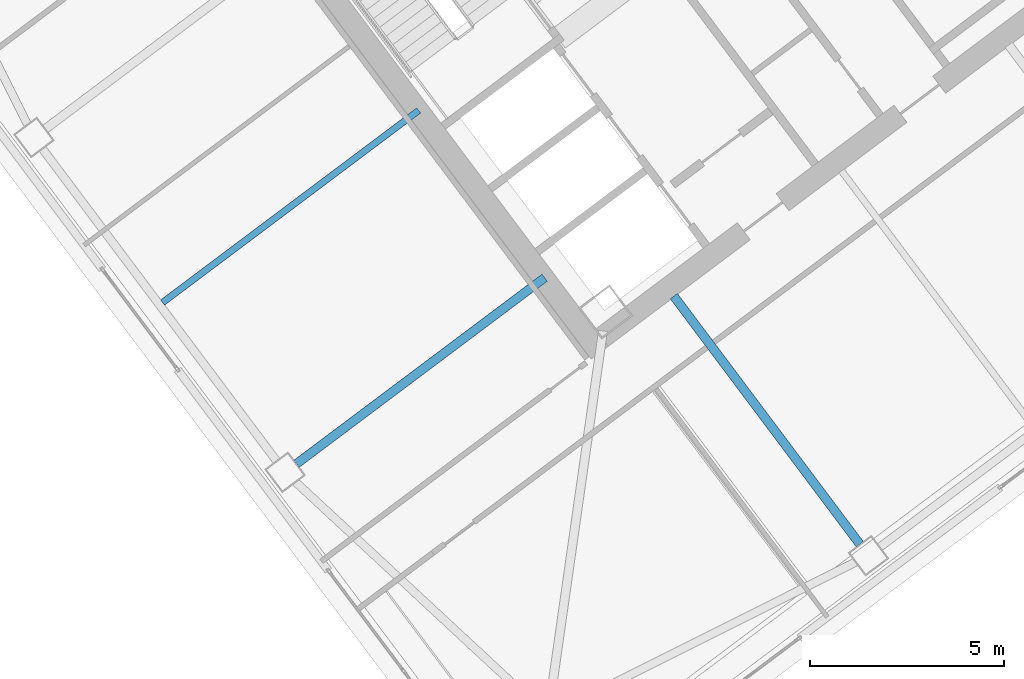
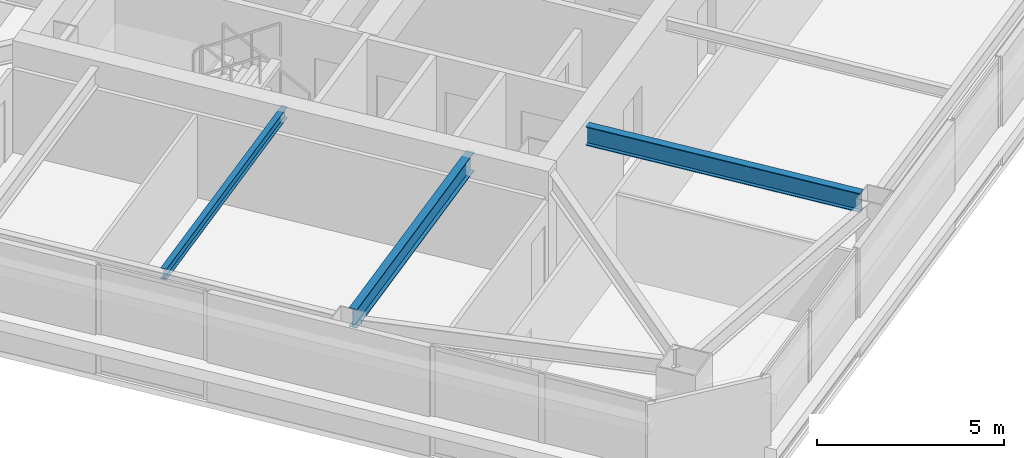
# One storey, part 21 of 44: 3 beams.
"""IFC4 building model written with IfcOpenShell, lengths in metres."""

from ifc_helpers import new_model, si_unit, direction, frame, origin, origin_2d, place, context, subcontext, project, spatial, i_section, extrude, material, material_profile, profile_set, type_object, element, save


model = new_model("IFC4")

# Units and contexts
model_context = context("Model", 3, precision=1e-05, world=origin(), true_north=direction((0.0, 1.0)))
body_context = subcontext(model_context, "Body", "Model", "MODEL_VIEW")
ifc_project = project(units=[si_unit("LENGTHUNIT", "METRE"), si_unit("AREAUNIT", "SQUARE_METRE"), si_unit("VOLUMEUNIT", "CUBIC_METRE"), si_unit("PLANEANGLEUNIT", "RADIAN"), si_unit("MASSUNIT", "GRAM", prefix="KILO")], contexts=[model_context])

# Site, building, storey
site_placement = place(None, origin())
site = spatial("IfcSite", under=ifc_project, at=site_placement, CompositionType="ELEMENT")
building_placement = place(site_placement, origin())
building = spatial("IfcBuilding", under=site, at=building_placement, Name="Tashvorn Skyway Center", CompositionType="ELEMENT")
storey_placement = place(building_placement, frame((0.0, 0.0, 181.85009765625)))
storey = spatial("IfcBuildingStorey", under=building, at=storey_placement, Name="L49", CompositionType="ELEMENT", Elevation=181.85009765625)

# Beams
ifc_material = material(Name="Steel ASTM A992 Grade 50", Category="steel")
ifc_material_profile_1 = material_profile(ifc_material, i_section(OverallWidth=0.22998046875, OverallDepth=0.616943359375, WebThickness=0.01318359375, FlangeThickness=0.022216796875, at=origin_2d()), Name="W24X94")
ifc_profile_set_1 = profile_set([ifc_material_profile_1], Name="Steel ASTM A992 Grade 50")
beam_type_1 = type_object("IfcBeamType", Name="BM-BEAM-W24X94", PredefinedType="BEAM", material=ifc_profile_set_1)
beam_1_placement = place(storey_placement, frame((119.14794921875, 16.135986328125, 3.0615234375), z_axis=(-0.60000976564, 0.799992675677, 0.0), x_axis=(-0.799992675677, -0.60000976564, 0.0)))
element("IfcBeam", 1, at=beam_1_placement, inside=storey, type_object=beam_type_1, Name="Tower 2 L49 Primary Floor Girder FC-S1", PredefinedType="BEAM", context=body_context, shape_type="SweptSolid", body=[
    extrude(i_section(OverallWidth=0.22998046875, OverallDepth=0.616943359375, WebThickness=0.01318359375, FlangeThickness=0.022216796875, at=origin_2d()), origin(), (0.0, 0.0, 1.0), 8.0),
])
beam_2_placement = place(storey_placement, frame((104.615966796875, 18.2119140625, 3.0615234375), z_axis=(0.800003662027, 0.599995117266, 0.0), x_axis=(-0.599995117266, 0.800003662027, 0.0)))
element("IfcBeam", 2, at=beam_2_placement, inside=storey, type_object=beam_type_1, Name="Tower 2 L49 Primary Floor Girder FC-W2", PredefinedType="BEAM", context=body_context, shape_type="SweptSolid", body=[
    extrude(i_section(OverallWidth=0.22998046875, OverallDepth=0.616943359375, WebThickness=0.01318359375, FlangeThickness=0.022216796875, at=origin_2d()), origin(), (0.0, 0.0, 1.0), 8.000244140625),
])
ifc_material_profile_2 = material_profile(ifc_material, i_section(OverallWidth=0.1708984375, OverallDepth=0.35498046875, WebThickness=0.007080078125, FlangeThickness=0.01171875, at=origin_2d()), Name="W14X34")
ifc_profile_set_2 = profile_set([ifc_material_profile_2], Name="Steel ASTM A992 Grade 50")
beam_type_2 = type_object("IfcBeamType", Name="BM-JOIST-W14X34", PredefinedType="JOIST", material=ifc_profile_set_2)
beam_3_placement = place(storey_placement, frame((107.76806640625, 27.325927734375, 3.1923828125), z_axis=(-0.800003545708, -0.59999527236, 0.0), x_axis=(0.59999527236, -0.800003545708, 0.0)))
element("IfcBeam", 3, at=beam_3_placement, inside=storey, type_object=beam_type_2, Name="Tower 2 L49 Secondary Composite Joist JW", PredefinedType="JOIST", context=body_context, shape_type="SweptSolid", body=[
    extrude(i_section(OverallWidth=0.1708984375, OverallDepth=0.35498046875, WebThickness=0.007080078125, FlangeThickness=0.01171875, at=origin_2d()), origin(), (0.0, 0.0, 1.0), 8.2626953125),
])

save(model, "model.ifc")
